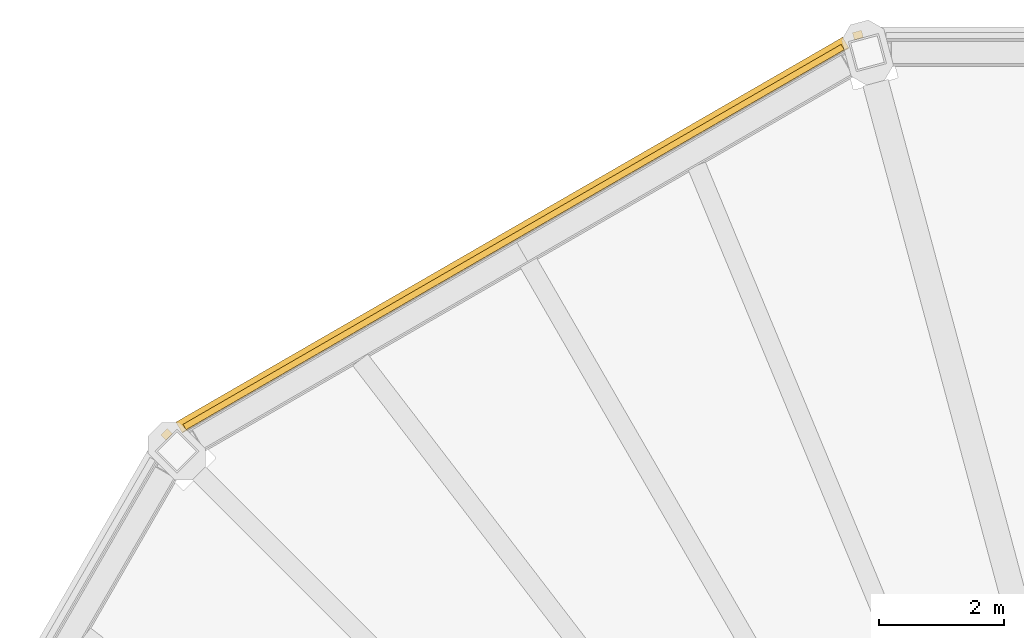
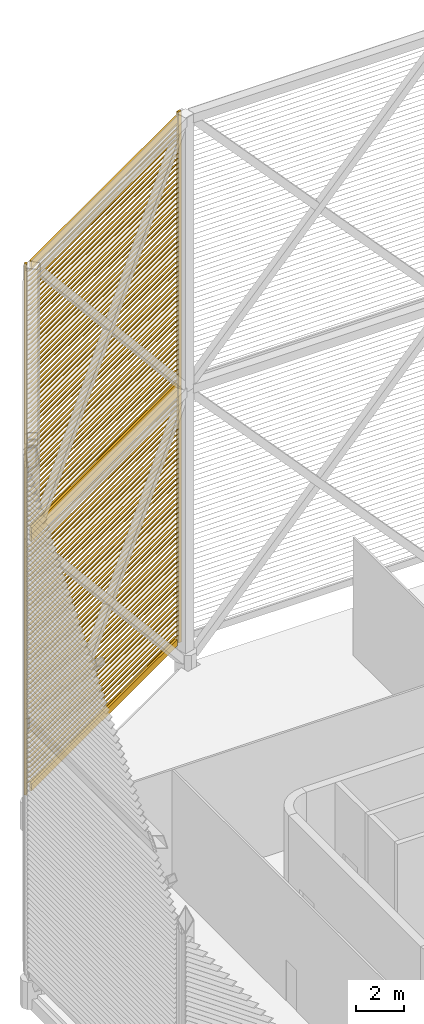
# One storey, part 15 of 18: 2 shading devices.
"""IFC4 building model written with IfcOpenShell, lengths in metres."""

from ifc_helpers import new_model, si_unit, direction, frame, origin, origin_2d, place, context, subcontext, project, spatial, rectangle, extrude, material, type_object, element, save


model = new_model("IFC4")

# Units and contexts
model_context = context("Model", 3, precision=1e-05, world=origin(), true_north=direction((0.0, 1.0)))
body_context = subcontext(model_context, "Body", "Model", "MODEL_VIEW")
ifc_project = project(units=[si_unit("LENGTHUNIT", "METRE"), si_unit("AREAUNIT", "SQUARE_METRE"), si_unit("VOLUMEUNIT", "CUBIC_METRE"), si_unit("PLANEANGLEUNIT", "RADIAN"), si_unit("MASSUNIT", "GRAM", prefix="KILO")], contexts=[model_context])

# Site, building, storey
site_placement = place(None, origin())
site = spatial("IfcSite", under=ifc_project, at=site_placement, CompositionType="ELEMENT")
building_placement = place(site_placement, origin())
building = spatial("IfcBuilding", under=site, at=building_placement, Name="Sahrelin Media Tower", CompositionType="ELEMENT")
storey_placement = place(building_placement, frame((0.0, 0.0, 335.800048828125)))
storey = spatial("IfcBuildingStorey", under=building, at=storey_placement, Name="Crown", CompositionType="ELEMENT", Elevation=335.800048828125)

# Shading devices
ifc_material = material(Name="Champagne anodised aluminium 6063-T6", Category="aluminium")
shading_device_type = type_object("IfcShadingDeviceType", Name="Crown louvre screen", PredefinedType="USERDEFINED", material=ifc_material)
shading_device_1_placement = place(storey_placement, frame((-6.38525390625, 23.830078125, 0.949951171875), z_axis=(0.0, 0.0, 1.0), x_axis=(0.866019052629, 0.500011000363, 0.0)))
element("IfcShadingDevice", 1, at=shading_device_1_placement, inside=storey, type_object=shading_device_type, Name="Crown louvre screen CS-03A", ObjectType="LOUVRE", PredefinedType="USERDEFINED", context=body_context, shape_type="SweptSolid", body=[
    extrude(rectangle(XDim=0.10009765625, YDim=0.35009765625, at=origin_2d()), frame((-0.300048828125, 0.27490234375, 12.875), z_axis=(-1.0, 0.0, 0.0), x_axis=(0.0, -1.0, 0.0)), (0.0, 0.0, 1.0), 12.17041015625),
    extrude(rectangle(XDim=0.10009765625, YDim=0.35009765625, at=origin_2d()), frame((-0.300048828125, 0.27490234375, 0.175048828125), z_axis=(-1.0, 0.0, 0.0), x_axis=(0.0, -1.0, 0.0)), (0.0, 0.0, 1.0), 12.17041015625),
    extrude(rectangle(XDim=0.1201171875, YDim=0.14990234375, at=origin_2d()), frame((0.0078125, 0.31884765625, 0.0), z_axis=(0.0, 0.0, 1.0), x_axis=(0.258820730961, 0.965925374563, 0.0)), (0.0, 0.0, 1.0), 13.050048828125),
    extrude(rectangle(XDim=0.1201171875, YDim=0.14990234375, at=origin_2d()), frame((-12.7783203125, 0.31884765625, 0.0), z_axis=(0.0, 0.0, 1.0), x_axis=(-0.258817359244, 0.965926278012, 0.0)), (0.0, 0.0, 1.0), 13.050048828125),
    extrude(rectangle(XDim=0.25, YDim=0.02001953125, at=origin_2d()), frame((-0.219970703125, 0.31005859375, 0.449951171875), z_axis=(-1.0, 0.0, 0.0), x_axis=(0.0, -0.766044443119, 0.642787609687)), (0.0, 0.0, 1.0), 12.33056640625),
    extrude(rectangle(XDim=0.25, YDim=0.02001953125, at=origin_2d()), frame((-0.219970703125, 0.31005859375, 0.699951171875), z_axis=(-1.0, 0.0, 0.0), x_axis=(0.0, -0.766044443119, 0.642787609687)), (0.0, 0.0, 1.0), 12.33056640625),
    extrude(rectangle(XDim=0.25, YDim=0.02001953125, at=origin_2d()), frame((-0.219970703125, 0.31005859375, 0.949951171875), z_axis=(-1.0, 0.0, 0.0), x_axis=(0.0, -0.766044443119, 0.642787609687)), (0.0, 0.0, 1.0), 12.33056640625),
    extrude(rectangle(XDim=0.25, YDim=0.02001953125, at=origin_2d()), frame((-0.219970703125, 0.31005859375, 1.199951171875), z_axis=(-1.0, 0.0, 0.0), x_axis=(0.0, -0.766044443119, 0.642787609687)), (0.0, 0.0, 1.0), 12.33056640625),
    extrude(rectangle(XDim=0.25, YDim=0.02001953125, at=origin_2d()), frame((-0.219970703125, 0.31005859375, 1.449951171875), z_axis=(-1.0, 0.0, 0.0), x_axis=(0.0, -0.766044443119, 0.642787609687)), (0.0, 0.0, 1.0), 12.33056640625),
    extrude(rectangle(XDim=0.25, YDim=0.02001953125, at=origin_2d()), frame((-0.219970703125, 0.31005859375, 1.699951171875), z_axis=(-1.0, 0.0, 0.0), x_axis=(0.0, -0.766044443119, 0.642787609687)), (0.0, 0.0, 1.0), 12.33056640625),
    extrude(rectangle(XDim=0.25, YDim=0.02001953125, at=origin_2d()), frame((-0.219970703125, 0.31005859375, 1.949951171875), z_axis=(-1.0, 0.0, 0.0), x_axis=(0.0, -0.766044443119, 0.642787609687)), (0.0, 0.0, 1.0), 12.33056640625),
    extrude(rectangle(XDim=0.25, YDim=0.02001953125, at=origin_2d()), frame((-0.219970703125, 0.31005859375, 2.199951171875), z_axis=(-1.0, 0.0, 0.0), x_axis=(0.0, -0.766044443119, 0.642787609687)), (0.0, 0.0, 1.0), 12.33056640625),
    extrude(rectangle(XDim=0.25, YDim=0.02001953125, at=origin_2d()), frame((-0.219970703125, 0.31005859375, 2.449951171875), z_axis=(-1.0, 0.0, 0.0), x_axis=(0.0, -0.766044443119, 0.642787609687)), (0.0, 0.0, 1.0), 12.33056640625),
    extrude(rectangle(XDim=0.25, YDim=0.02001953125, at=origin_2d()), frame((-0.219970703125, 0.31005859375, 2.699951171875), z_axis=(-1.0, 0.0, 0.0), x_axis=(0.0, -0.766044443119, 0.642787609687)), (0.0, 0.0, 1.0), 12.33056640625),
    extrude(rectangle(XDim=0.25, YDim=0.02001953125, at=origin_2d()), frame((-0.219970703125, 0.31005859375, 2.949951171875), z_axis=(-1.0, 0.0, 0.0), x_axis=(0.0, -0.766044443119, 0.642787609687)), (0.0, 0.0, 1.0), 12.33056640625),
    extrude(rectangle(XDim=0.25, YDim=0.02001953125, at=origin_2d()), frame((-0.219970703125, 0.31005859375, 3.199951171875), z_axis=(-1.0, 0.0, 0.0), x_axis=(0.0, -0.766044443119, 0.642787609687)), (0.0, 0.0, 1.0), 12.33056640625),
    extrude(rectangle(XDim=0.25, YDim=0.02001953125, at=origin_2d()), frame((-0.219970703125, 0.31005859375, 3.449951171875), z_axis=(-1.0, 0.0, 0.0), x_axis=(0.0, -0.766044443119, 0.642787609687)), (0.0, 0.0, 1.0), 12.33056640625),
    extrude(rectangle(XDim=0.25, YDim=0.02001953125, at=origin_2d()), frame((-0.219970703125, 0.31005859375, 3.699951171875), z_axis=(-1.0, 0.0, 0.0), x_axis=(0.0, -0.766044443119, 0.642787609687)), (0.0, 0.0, 1.0), 12.33056640625),
    extrude(rectangle(XDim=0.25, YDim=0.02001953125, at=origin_2d()), frame((-0.219970703125, 0.31005859375, 3.949951171875), z_axis=(-1.0, 0.0, 0.0), x_axis=(0.0, -0.766044443119, 0.642787609687)), (0.0, 0.0, 1.0), 12.33056640625),
    extrude(rectangle(XDim=0.25, YDim=0.02001953125, at=origin_2d()), frame((-0.219970703125, 0.31005859375, 4.199951171875), z_axis=(-1.0, 0.0, 0.0), x_axis=(0.0, -0.766044443119, 0.642787609687)), (0.0, 0.0, 1.0), 12.33056640625),
    extrude(rectangle(XDim=0.25, YDim=0.02001953125, at=origin_2d()), frame((-0.219970703125, 0.31005859375, 4.449951171875), z_axis=(-1.0, 0.0, 0.0), x_axis=(0.0, -0.766044443119, 0.642787609687)), (0.0, 0.0, 1.0), 12.33056640625),
    extrude(rectangle(XDim=0.25, YDim=0.02001953125, at=origin_2d()), frame((-0.219970703125, 0.31005859375, 4.699951171875), z_axis=(-1.0, 0.0, 0.0), x_axis=(0.0, -0.766044443119, 0.642787609687)), (0.0, 0.0, 1.0), 12.33056640625),
    extrude(rectangle(XDim=0.25, YDim=0.02001953125, at=origin_2d()), frame((-0.219970703125, 0.31005859375, 4.949951171875), z_axis=(-1.0, 0.0, 0.0), x_axis=(0.0, -0.766044443119, 0.642787609687)), (0.0, 0.0, 1.0), 12.33056640625),
    extrude(rectangle(XDim=0.25, YDim=0.02001953125, at=origin_2d()), frame((-0.219970703125, 0.31005859375, 5.199951171875), z_axis=(-1.0, 0.0, 0.0), x_axis=(0.0, -0.766044443119, 0.642787609687)), (0.0, 0.0, 1.0), 12.33056640625),
    extrude(rectangle(XDim=0.25, YDim=0.02001953125, at=origin_2d()), frame((-0.219970703125, 0.31005859375, 5.449951171875), z_axis=(-1.0, 0.0, 0.0), x_axis=(0.0, -0.766044443119, 0.642787609687)), (0.0, 0.0, 1.0), 12.33056640625),
    extrude(rectangle(XDim=0.25, YDim=0.02001953125, at=origin_2d()), frame((-0.219970703125, 0.31005859375, 5.699951171875), z_axis=(-1.0, 0.0, 0.0), x_axis=(0.0, -0.766044443119, 0.642787609687)), (0.0, 0.0, 1.0), 12.33056640625),
    extrude(rectangle(XDim=0.25, YDim=0.02001953125, at=origin_2d()), frame((-0.219970703125, 0.31005859375, 5.949951171875), z_axis=(-1.0, 0.0, 0.0), x_axis=(0.0, -0.766044443119, 0.642787609687)), (0.0, 0.0, 1.0), 12.33056640625),
    extrude(rectangle(XDim=0.25, YDim=0.02001953125, at=origin_2d()), frame((-0.219970703125, 0.31005859375, 6.199951171875), z_axis=(-1.0, 0.0, 0.0), x_axis=(0.0, -0.766044443119, 0.642787609687)), (0.0, 0.0, 1.0), 12.33056640625),
    extrude(rectangle(XDim=0.25, YDim=0.02001953125, at=origin_2d()), frame((-0.219970703125, 0.31005859375, 6.449951171875), z_axis=(-1.0, 0.0, 0.0), x_axis=(0.0, -0.766044443119, 0.642787609687)), (0.0, 0.0, 1.0), 12.33056640625),
    extrude(rectangle(XDim=0.25, YDim=0.02001953125, at=origin_2d()), frame((-0.219970703125, 0.31005859375, 6.699951171875), z_axis=(-1.0, 0.0, 0.0), x_axis=(0.0, -0.766044443119, 0.642787609687)), (0.0, 0.0, 1.0), 12.33056640625),
    extrude(rectangle(XDim=0.25, YDim=0.02001953125, at=origin_2d()), frame((-0.219970703125, 0.31005859375, 6.949951171875), z_axis=(-1.0, 0.0, 0.0), x_axis=(0.0, -0.766044443119, 0.642787609687)), (0.0, 0.0, 1.0), 12.33056640625),
    extrude(rectangle(XDim=0.25, YDim=0.02001953125, at=origin_2d()), frame((-0.219970703125, 0.31005859375, 7.199951171875), z_axis=(-1.0, 0.0, 0.0), x_axis=(0.0, -0.766044443119, 0.642787609687)), (0.0, 0.0, 1.0), 12.33056640625),
    extrude(rectangle(XDim=0.25, YDim=0.02001953125, at=origin_2d()), frame((-0.219970703125, 0.31005859375, 7.449951171875), z_axis=(-1.0, 0.0, 0.0), x_axis=(0.0, -0.766044443119, 0.642787609687)), (0.0, 0.0, 1.0), 12.33056640625),
    extrude(rectangle(XDim=0.25, YDim=0.02001953125, at=origin_2d()), frame((-0.219970703125, 0.31005859375, 7.699951171875), z_axis=(-1.0, 0.0, 0.0), x_axis=(0.0, -0.766044443119, 0.642787609687)), (0.0, 0.0, 1.0), 12.33056640625),
    extrude(rectangle(XDim=0.25, YDim=0.02001953125, at=origin_2d()), frame((-0.219970703125, 0.31005859375, 7.949951171875), z_axis=(-1.0, 0.0, 0.0), x_axis=(0.0, -0.766044443119, 0.642787609687)), (0.0, 0.0, 1.0), 12.33056640625),
    extrude(rectangle(XDim=0.25, YDim=0.02001953125, at=origin_2d()), frame((-0.219970703125, 0.31005859375, 8.199951171875), z_axis=(-1.0, 0.0, 0.0), x_axis=(0.0, -0.766044443119, 0.642787609687)), (0.0, 0.0, 1.0), 12.33056640625),
    extrude(rectangle(XDim=0.25, YDim=0.02001953125, at=origin_2d()), frame((-0.219970703125, 0.31005859375, 8.449951171875), z_axis=(-1.0, 0.0, 0.0), x_axis=(0.0, -0.766044443119, 0.642787609687)), (0.0, 0.0, 1.0), 12.33056640625),
    extrude(rectangle(XDim=0.25, YDim=0.02001953125, at=origin_2d()), frame((-0.219970703125, 0.31005859375, 8.699951171875), z_axis=(-1.0, 0.0, 0.0), x_axis=(0.0, -0.766044443119, 0.642787609687)), (0.0, 0.0, 1.0), 12.33056640625),
    extrude(rectangle(XDim=0.25, YDim=0.02001953125, at=origin_2d()), frame((-0.219970703125, 0.31005859375, 8.949951171875), z_axis=(-1.0, 0.0, 0.0), x_axis=(0.0, -0.766044443119, 0.642787609687)), (0.0, 0.0, 1.0), 12.33056640625),
    extrude(rectangle(XDim=0.25, YDim=0.02001953125, at=origin_2d()), frame((-0.219970703125, 0.31005859375, 9.199951171875), z_axis=(-1.0, 0.0, 0.0), x_axis=(0.0, -0.766044443119, 0.642787609687)), (0.0, 0.0, 1.0), 12.33056640625),
    extrude(rectangle(XDim=0.25, YDim=0.02001953125, at=origin_2d()), frame((-0.219970703125, 0.31005859375, 9.449951171875), z_axis=(-1.0, 0.0, 0.0), x_axis=(0.0, -0.766044443119, 0.642787609687)), (0.0, 0.0, 1.0), 12.33056640625),
    extrude(rectangle(XDim=0.25, YDim=0.02001953125, at=origin_2d()), frame((-0.219970703125, 0.31005859375, 9.699951171875), z_axis=(-1.0, 0.0, 0.0), x_axis=(0.0, -0.766044443119, 0.642787609687)), (0.0, 0.0, 1.0), 12.33056640625),
    extrude(rectangle(XDim=0.25, YDim=0.02001953125, at=origin_2d()), frame((-0.219970703125, 0.31005859375, 9.949951171875), z_axis=(-1.0, 0.0, 0.0), x_axis=(0.0, -0.766044443119, 0.642787609687)), (0.0, 0.0, 1.0), 12.33056640625),
    extrude(rectangle(XDim=0.25, YDim=0.02001953125, at=origin_2d()), frame((-0.219970703125, 0.31005859375, 10.199951171875), z_axis=(-1.0, 0.0, 0.0), x_axis=(0.0, -0.766044443119, 0.642787609687)), (0.0, 0.0, 1.0), 12.33056640625),
    extrude(rectangle(XDim=0.25, YDim=0.02001953125, at=origin_2d()), frame((-0.219970703125, 0.31005859375, 10.449951171875), z_axis=(-1.0, 0.0, 0.0), x_axis=(0.0, -0.766044443119, 0.642787609687)), (0.0, 0.0, 1.0), 12.33056640625),
    extrude(rectangle(XDim=0.25, YDim=0.02001953125, at=origin_2d()), frame((-0.219970703125, 0.31005859375, 10.699951171875), z_axis=(-1.0, 0.0, 0.0), x_axis=(0.0, -0.766044443119, 0.642787609687)), (0.0, 0.0, 1.0), 12.33056640625),
    extrude(rectangle(XDim=0.25, YDim=0.02001953125, at=origin_2d()), frame((-0.219970703125, 0.31005859375, 10.949951171875), z_axis=(-1.0, 0.0, 0.0), x_axis=(0.0, -0.766044443119, 0.642787609687)), (0.0, 0.0, 1.0), 12.33056640625),
    extrude(rectangle(XDim=0.25, YDim=0.02001953125, at=origin_2d()), frame((-0.219970703125, 0.31005859375, 11.199951171875), z_axis=(-1.0, 0.0, 0.0), x_axis=(0.0, -0.766044443119, 0.642787609687)), (0.0, 0.0, 1.0), 12.33056640625),
    extrude(rectangle(XDim=0.25, YDim=0.02001953125, at=origin_2d()), frame((-0.219970703125, 0.31005859375, 11.449951171875), z_axis=(-1.0, 0.0, 0.0), x_axis=(0.0, -0.766044443119, 0.642787609687)), (0.0, 0.0, 1.0), 12.33056640625),
    extrude(rectangle(XDim=0.25, YDim=0.02001953125, at=origin_2d()), frame((-0.219970703125, 0.31005859375, 11.699951171875), z_axis=(-1.0, 0.0, 0.0), x_axis=(0.0, -0.766044443119, 0.642787609687)), (0.0, 0.0, 1.0), 12.33056640625),
    extrude(rectangle(XDim=0.25, YDim=0.02001953125, at=origin_2d()), frame((-0.219970703125, 0.31005859375, 11.949951171875), z_axis=(-1.0, 0.0, 0.0), x_axis=(0.0, -0.766044443119, 0.642787609687)), (0.0, 0.0, 1.0), 12.33056640625),
    extrude(rectangle(XDim=0.25, YDim=0.02001953125, at=origin_2d()), frame((-0.219970703125, 0.31005859375, 12.199951171875), z_axis=(-1.0, 0.0, 0.0), x_axis=(0.0, -0.766044443119, 0.642787609687)), (0.0, 0.0, 1.0), 12.33056640625),
    extrude(rectangle(XDim=0.25, YDim=0.02001953125, at=origin_2d()), frame((-0.219970703125, 0.31005859375, 12.449951171875), z_axis=(-1.0, 0.0, 0.0), x_axis=(0.0, -0.766044443119, 0.642787609687)), (0.0, 0.0, 1.0), 12.33056640625),
])
shading_device_2_placement = place(storey_placement, frame((-6.38525390625, 23.830078125, 14.0), z_axis=(0.0, 0.0, 1.0), x_axis=(0.866019052629, 0.500011000363, 0.0)))
element("IfcShadingDevice", 2, at=shading_device_2_placement, inside=storey, type_object=shading_device_type, Name="Crown louvre screen CS-03B", ObjectType="LOUVRE", PredefinedType="USERDEFINED", context=body_context, shape_type="SweptSolid", body=[
    extrude(rectangle(XDim=0.10009765625, YDim=0.35009765625, at=origin_2d()), frame((-0.300048828125, 0.27490234375, 13.77490234375), z_axis=(-1.0, 0.0, 0.0), x_axis=(0.0, -1.0, 0.0)), (0.0, 0.0, 1.0), 12.17041015625),
    extrude(rectangle(XDim=0.10009765625, YDim=0.35009765625, at=origin_2d()), frame((-0.300048828125, 0.27490234375, 0.175048828125), z_axis=(-1.0, 0.0, 0.0), x_axis=(0.0, -1.0, 0.0)), (0.0, 0.0, 1.0), 12.17041015625),
    extrude(rectangle(XDim=0.1201171875, YDim=0.14990234375, at=origin_2d()), frame((0.0078125, 0.31884765625, 0.0), z_axis=(0.0, 0.0, 1.0), x_axis=(0.258820730961, 0.965925374563, 0.0)), (0.0, 0.0, 1.0), 14.0),
    extrude(rectangle(XDim=0.1201171875, YDim=0.14990234375, at=origin_2d()), frame((-12.7783203125, 0.31884765625, 0.0), z_axis=(0.0, 0.0, 1.0), x_axis=(-0.258817359244, 0.965926278012, 0.0)), (0.0, 0.0, 1.0), 14.0),
    extrude(rectangle(XDim=0.25, YDim=0.02001953125, at=origin_2d()), frame((-0.219970703125, 0.31005859375, 0.449951171875), z_axis=(-1.0, 0.0, 0.0), x_axis=(0.0, -0.766044443119, 0.642787609687)), (0.0, 0.0, 1.0), 12.33056640625),
    extrude(rectangle(XDim=0.25, YDim=0.02001953125, at=origin_2d()), frame((-0.219970703125, 0.31005859375, 0.699951171875), z_axis=(-1.0, 0.0, 0.0), x_axis=(0.0, -0.766044443119, 0.642787609687)), (0.0, 0.0, 1.0), 12.33056640625),
    extrude(rectangle(XDim=0.25, YDim=0.02001953125, at=origin_2d()), frame((-0.219970703125, 0.31005859375, 0.949951171875), z_axis=(-1.0, 0.0, 0.0), x_axis=(0.0, -0.766044443119, 0.642787609687)), (0.0, 0.0, 1.0), 12.33056640625),
    extrude(rectangle(XDim=0.25, YDim=0.02001953125, at=origin_2d()), frame((-0.219970703125, 0.31005859375, 1.199951171875), z_axis=(-1.0, 0.0, 0.0), x_axis=(0.0, -0.766044443119, 0.642787609687)), (0.0, 0.0, 1.0), 12.33056640625),
    extrude(rectangle(XDim=0.25, YDim=0.02001953125, at=origin_2d()), frame((-0.219970703125, 0.31005859375, 1.449951171875), z_axis=(-1.0, 0.0, 0.0), x_axis=(0.0, -0.766044443119, 0.642787609687)), (0.0, 0.0, 1.0), 12.33056640625),
    extrude(rectangle(XDim=0.25, YDim=0.02001953125, at=origin_2d()), frame((-0.219970703125, 0.31005859375, 1.699951171875), z_axis=(-1.0, 0.0, 0.0), x_axis=(0.0, -0.766044443119, 0.642787609687)), (0.0, 0.0, 1.0), 12.33056640625),
    extrude(rectangle(XDim=0.25, YDim=0.02001953125, at=origin_2d()), frame((-0.219970703125, 0.31005859375, 1.949951171875), z_axis=(-1.0, 0.0, 0.0), x_axis=(0.0, -0.766044443119, 0.642787609687)), (0.0, 0.0, 1.0), 12.33056640625),
    extrude(rectangle(XDim=0.25, YDim=0.02001953125, at=origin_2d()), frame((-0.219970703125, 0.31005859375, 2.199951171875), z_axis=(-1.0, 0.0, 0.0), x_axis=(0.0, -0.766044443119, 0.642787609687)), (0.0, 0.0, 1.0), 12.33056640625),
    extrude(rectangle(XDim=0.25, YDim=0.02001953125, at=origin_2d()), frame((-0.219970703125, 0.31005859375, 2.449951171875), z_axis=(-1.0, 0.0, 0.0), x_axis=(0.0, -0.766044443119, 0.642787609687)), (0.0, 0.0, 1.0), 12.33056640625),
    extrude(rectangle(XDim=0.25, YDim=0.02001953125, at=origin_2d()), frame((-0.219970703125, 0.31005859375, 2.699951171875), z_axis=(-1.0, 0.0, 0.0), x_axis=(0.0, -0.766044443119, 0.642787609687)), (0.0, 0.0, 1.0), 12.33056640625),
    extrude(rectangle(XDim=0.25, YDim=0.02001953125, at=origin_2d()), frame((-0.219970703125, 0.31005859375, 2.949951171875), z_axis=(-1.0, 0.0, 0.0), x_axis=(0.0, -0.766044443119, 0.642787609687)), (0.0, 0.0, 1.0), 12.33056640625),
    extrude(rectangle(XDim=0.25, YDim=0.02001953125, at=origin_2d()), frame((-0.219970703125, 0.31005859375, 3.199951171875), z_axis=(-1.0, 0.0, 0.0), x_axis=(0.0, -0.766044443119, 0.642787609687)), (0.0, 0.0, 1.0), 12.33056640625),
    extrude(rectangle(XDim=0.25, YDim=0.02001953125, at=origin_2d()), frame((-0.219970703125, 0.31005859375, 3.449951171875), z_axis=(-1.0, 0.0, 0.0), x_axis=(0.0, -0.766044443119, 0.642787609687)), (0.0, 0.0, 1.0), 12.33056640625),
    extrude(rectangle(XDim=0.25, YDim=0.02001953125, at=origin_2d()), frame((-0.219970703125, 0.31005859375, 3.699951171875), z_axis=(-1.0, 0.0, 0.0), x_axis=(0.0, -0.766044443119, 0.642787609687)), (0.0, 0.0, 1.0), 12.33056640625),
    extrude(rectangle(XDim=0.25, YDim=0.02001953125, at=origin_2d()), frame((-0.219970703125, 0.31005859375, 3.949951171875), z_axis=(-1.0, 0.0, 0.0), x_axis=(0.0, -0.766044443119, 0.642787609687)), (0.0, 0.0, 1.0), 12.33056640625),
    extrude(rectangle(XDim=0.25, YDim=0.02001953125, at=origin_2d()), frame((-0.219970703125, 0.31005859375, 4.199951171875), z_axis=(-1.0, 0.0, 0.0), x_axis=(0.0, -0.766044443119, 0.642787609687)), (0.0, 0.0, 1.0), 12.33056640625),
    extrude(rectangle(XDim=0.25, YDim=0.02001953125, at=origin_2d()), frame((-0.219970703125, 0.31005859375, 4.449951171875), z_axis=(-1.0, 0.0, 0.0), x_axis=(0.0, -0.766044443119, 0.642787609687)), (0.0, 0.0, 1.0), 12.33056640625),
    extrude(rectangle(XDim=0.25, YDim=0.02001953125, at=origin_2d()), frame((-0.219970703125, 0.31005859375, 4.699951171875), z_axis=(-1.0, 0.0, 0.0), x_axis=(0.0, -0.766044443119, 0.642787609687)), (0.0, 0.0, 1.0), 12.33056640625),
    extrude(rectangle(XDim=0.25, YDim=0.02001953125, at=origin_2d()), frame((-0.219970703125, 0.31005859375, 4.949951171875), z_axis=(-1.0, 0.0, 0.0), x_axis=(0.0, -0.766044443119, 0.642787609687)), (0.0, 0.0, 1.0), 12.33056640625),
    extrude(rectangle(XDim=0.25, YDim=0.02001953125, at=origin_2d()), frame((-0.219970703125, 0.31005859375, 5.199951171875), z_axis=(-1.0, 0.0, 0.0), x_axis=(0.0, -0.766044443119, 0.642787609687)), (0.0, 0.0, 1.0), 12.33056640625),
    extrude(rectangle(XDim=0.25, YDim=0.02001953125, at=origin_2d()), frame((-0.219970703125, 0.31005859375, 5.449951171875), z_axis=(-1.0, 0.0, 0.0), x_axis=(0.0, -0.766044443119, 0.642787609687)), (0.0, 0.0, 1.0), 12.33056640625),
    extrude(rectangle(XDim=0.25, YDim=0.02001953125, at=origin_2d()), frame((-0.219970703125, 0.31005859375, 5.699951171875), z_axis=(-1.0, 0.0, 0.0), x_axis=(0.0, -0.766044443119, 0.642787609687)), (0.0, 0.0, 1.0), 12.33056640625),
    extrude(rectangle(XDim=0.25, YDim=0.02001953125, at=origin_2d()), frame((-0.219970703125, 0.31005859375, 5.949951171875), z_axis=(-1.0, 0.0, 0.0), x_axis=(0.0, -0.766044443119, 0.642787609687)), (0.0, 0.0, 1.0), 12.33056640625),
    extrude(rectangle(XDim=0.25, YDim=0.02001953125, at=origin_2d()), frame((-0.219970703125, 0.31005859375, 6.199951171875), z_axis=(-1.0, 0.0, 0.0), x_axis=(0.0, -0.766044443119, 0.642787609687)), (0.0, 0.0, 1.0), 12.33056640625),
    extrude(rectangle(XDim=0.25, YDim=0.02001953125, at=origin_2d()), frame((-0.219970703125, 0.31005859375, 6.449951171875), z_axis=(-1.0, 0.0, 0.0), x_axis=(0.0, -0.766044443119, 0.642787609687)), (0.0, 0.0, 1.0), 12.33056640625),
    extrude(rectangle(XDim=0.25, YDim=0.02001953125, at=origin_2d()), frame((-0.219970703125, 0.31005859375, 6.699951171875), z_axis=(-1.0, 0.0, 0.0), x_axis=(0.0, -0.766044443119, 0.642787609687)), (0.0, 0.0, 1.0), 12.33056640625),
    extrude(rectangle(XDim=0.25, YDim=0.02001953125, at=origin_2d()), frame((-0.219970703125, 0.31005859375, 6.949951171875), z_axis=(-1.0, 0.0, 0.0), x_axis=(0.0, -0.766044443119, 0.642787609687)), (0.0, 0.0, 1.0), 12.33056640625),
    extrude(rectangle(XDim=0.25, YDim=0.02001953125, at=origin_2d()), frame((-0.219970703125, 0.31005859375, 7.199951171875), z_axis=(-1.0, 0.0, 0.0), x_axis=(0.0, -0.766044443119, 0.642787609687)), (0.0, 0.0, 1.0), 12.33056640625),
    extrude(rectangle(XDim=0.25, YDim=0.02001953125, at=origin_2d()), frame((-0.219970703125, 0.31005859375, 7.449951171875), z_axis=(-1.0, 0.0, 0.0), x_axis=(0.0, -0.766044443119, 0.642787609687)), (0.0, 0.0, 1.0), 12.33056640625),
    extrude(rectangle(XDim=0.25, YDim=0.02001953125, at=origin_2d()), frame((-0.219970703125, 0.31005859375, 7.699951171875), z_axis=(-1.0, 0.0, 0.0), x_axis=(0.0, -0.766044443119, 0.642787609687)), (0.0, 0.0, 1.0), 12.33056640625),
    extrude(rectangle(XDim=0.25, YDim=0.02001953125, at=origin_2d()), frame((-0.219970703125, 0.31005859375, 7.949951171875), z_axis=(-1.0, 0.0, 0.0), x_axis=(0.0, -0.766044443119, 0.642787609687)), (0.0, 0.0, 1.0), 12.33056640625),
    extrude(rectangle(XDim=0.25, YDim=0.02001953125, at=origin_2d()), frame((-0.219970703125, 0.31005859375, 8.199951171875), z_axis=(-1.0, 0.0, 0.0), x_axis=(0.0, -0.766044443119, 0.642787609687)), (0.0, 0.0, 1.0), 12.33056640625),
    extrude(rectangle(XDim=0.25, YDim=0.02001953125, at=origin_2d()), frame((-0.219970703125, 0.31005859375, 8.449951171875), z_axis=(-1.0, 0.0, 0.0), x_axis=(0.0, -0.766044443119, 0.642787609687)), (0.0, 0.0, 1.0), 12.33056640625),
    extrude(rectangle(XDim=0.25, YDim=0.02001953125, at=origin_2d()), frame((-0.219970703125, 0.31005859375, 8.699951171875), z_axis=(-1.0, 0.0, 0.0), x_axis=(0.0, -0.766044443119, 0.642787609687)), (0.0, 0.0, 1.0), 12.33056640625),
    extrude(rectangle(XDim=0.25, YDim=0.02001953125, at=origin_2d()), frame((-0.219970703125, 0.31005859375, 8.949951171875), z_axis=(-1.0, 0.0, 0.0), x_axis=(0.0, -0.766044443119, 0.642787609687)), (0.0, 0.0, 1.0), 12.33056640625),
    extrude(rectangle(XDim=0.25, YDim=0.02001953125, at=origin_2d()), frame((-0.219970703125, 0.31005859375, 9.199951171875), z_axis=(-1.0, 0.0, 0.0), x_axis=(0.0, -0.766044443119, 0.642787609687)), (0.0, 0.0, 1.0), 12.33056640625),
    extrude(rectangle(XDim=0.25, YDim=0.02001953125, at=origin_2d()), frame((-0.219970703125, 0.31005859375, 9.449951171875), z_axis=(-1.0, 0.0, 0.0), x_axis=(0.0, -0.766044443119, 0.642787609687)), (0.0, 0.0, 1.0), 12.33056640625),
    extrude(rectangle(XDim=0.25, YDim=0.02001953125, at=origin_2d()), frame((-0.219970703125, 0.31005859375, 9.699951171875), z_axis=(-1.0, 0.0, 0.0), x_axis=(0.0, -0.766044443119, 0.642787609687)), (0.0, 0.0, 1.0), 12.33056640625),
    extrude(rectangle(XDim=0.25, YDim=0.02001953125, at=origin_2d()), frame((-0.219970703125, 0.31005859375, 9.949951171875), z_axis=(-1.0, 0.0, 0.0), x_axis=(0.0, -0.766044443119, 0.642787609687)), (0.0, 0.0, 1.0), 12.33056640625),
    extrude(rectangle(XDim=0.25, YDim=0.02001953125, at=origin_2d()), frame((-0.219970703125, 0.31005859375, 10.199951171875), z_axis=(-1.0, 0.0, 0.0), x_axis=(0.0, -0.766044443119, 0.642787609687)), (0.0, 0.0, 1.0), 12.33056640625),
    extrude(rectangle(XDim=0.25, YDim=0.02001953125, at=origin_2d()), frame((-0.219970703125, 0.31005859375, 10.449951171875), z_axis=(-1.0, 0.0, 0.0), x_axis=(0.0, -0.766044443119, 0.642787609687)), (0.0, 0.0, 1.0), 12.33056640625),
    extrude(rectangle(XDim=0.25, YDim=0.02001953125, at=origin_2d()), frame((-0.219970703125, 0.31005859375, 10.699951171875), z_axis=(-1.0, 0.0, 0.0), x_axis=(0.0, -0.766044443119, 0.642787609687)), (0.0, 0.0, 1.0), 12.33056640625),
    extrude(rectangle(XDim=0.25, YDim=0.02001953125, at=origin_2d()), frame((-0.219970703125, 0.31005859375, 10.949951171875), z_axis=(-1.0, 0.0, 0.0), x_axis=(0.0, -0.766044443119, 0.642787609687)), (0.0, 0.0, 1.0), 12.33056640625),
    extrude(rectangle(XDim=0.25, YDim=0.02001953125, at=origin_2d()), frame((-0.219970703125, 0.31005859375, 11.199951171875), z_axis=(-1.0, 0.0, 0.0), x_axis=(0.0, -0.766044443119, 0.642787609687)), (0.0, 0.0, 1.0), 12.33056640625),
    extrude(rectangle(XDim=0.25, YDim=0.02001953125, at=origin_2d()), frame((-0.219970703125, 0.31005859375, 11.449951171875), z_axis=(-1.0, 0.0, 0.0), x_axis=(0.0, -0.766044443119, 0.642787609687)), (0.0, 0.0, 1.0), 12.33056640625),
    extrude(rectangle(XDim=0.25, YDim=0.02001953125, at=origin_2d()), frame((-0.219970703125, 0.31005859375, 11.699951171875), z_axis=(-1.0, 0.0, 0.0), x_axis=(0.0, -0.766044443119, 0.642787609687)), (0.0, 0.0, 1.0), 12.33056640625),
    extrude(rectangle(XDim=0.25, YDim=0.02001953125, at=origin_2d()), frame((-0.219970703125, 0.31005859375, 11.949951171875), z_axis=(-1.0, 0.0, 0.0), x_axis=(0.0, -0.766044443119, 0.642787609687)), (0.0, 0.0, 1.0), 12.33056640625),
    extrude(rectangle(XDim=0.25, YDim=0.02001953125, at=origin_2d()), frame((-0.219970703125, 0.31005859375, 12.199951171875), z_axis=(-1.0, 0.0, 0.0), x_axis=(0.0, -0.766044443119, 0.642787609687)), (0.0, 0.0, 1.0), 12.33056640625),
    extrude(rectangle(XDim=0.25, YDim=0.02001953125, at=origin_2d()), frame((-0.219970703125, 0.31005859375, 12.449951171875), z_axis=(-1.0, 0.0, 0.0), x_axis=(0.0, -0.766044443119, 0.642787609687)), (0.0, 0.0, 1.0), 12.33056640625),
    extrude(rectangle(XDim=0.25, YDim=0.02001953125, at=origin_2d()), frame((-0.219970703125, 0.31005859375, 12.699951171875), z_axis=(-1.0, 0.0, 0.0), x_axis=(0.0, -0.766044443119, 0.642787609687)), (0.0, 0.0, 1.0), 12.33056640625),
    extrude(rectangle(XDim=0.25, YDim=0.02001953125, at=origin_2d()), frame((-0.219970703125, 0.31005859375, 12.949951171875), z_axis=(-1.0, 0.0, 0.0), x_axis=(0.0, -0.766044443119, 0.642787609687)), (0.0, 0.0, 1.0), 12.33056640625),
    extrude(rectangle(XDim=0.25, YDim=0.02001953125, at=origin_2d()), frame((-0.219970703125, 0.31005859375, 13.199951171875), z_axis=(-1.0, 0.0, 0.0), x_axis=(0.0, -0.766044443119, 0.642787609687)), (0.0, 0.0, 1.0), 12.33056640625),
    extrude(rectangle(XDim=0.25, YDim=0.02001953125, at=origin_2d()), frame((-0.219970703125, 0.31005859375, 13.449951171875), z_axis=(-1.0, 0.0, 0.0), x_axis=(0.0, -0.766044443119, 0.642787609687)), (0.0, 0.0, 1.0), 12.33056640625),
])

save(model, "model.ifc")
